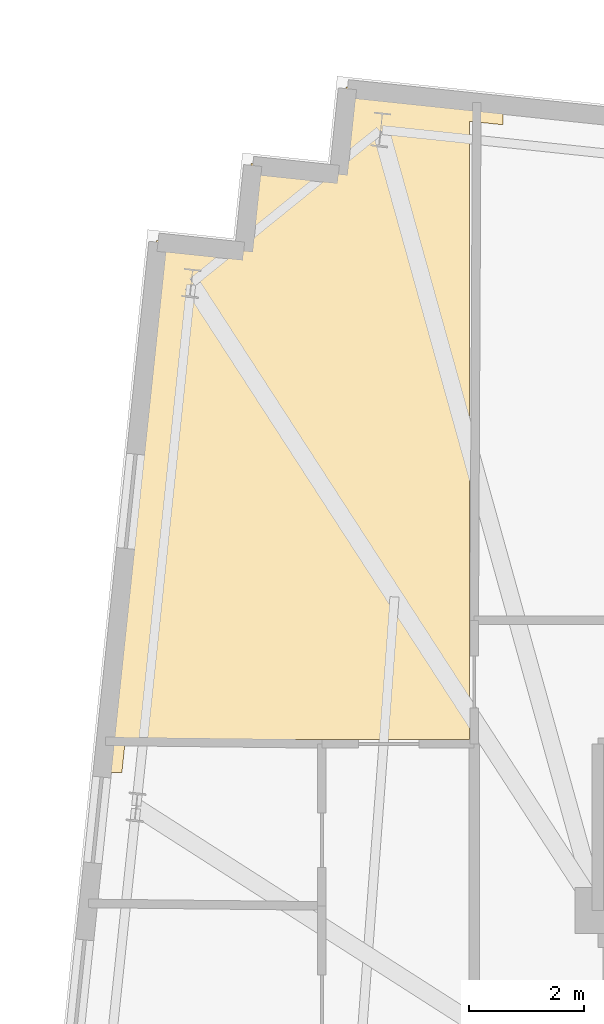
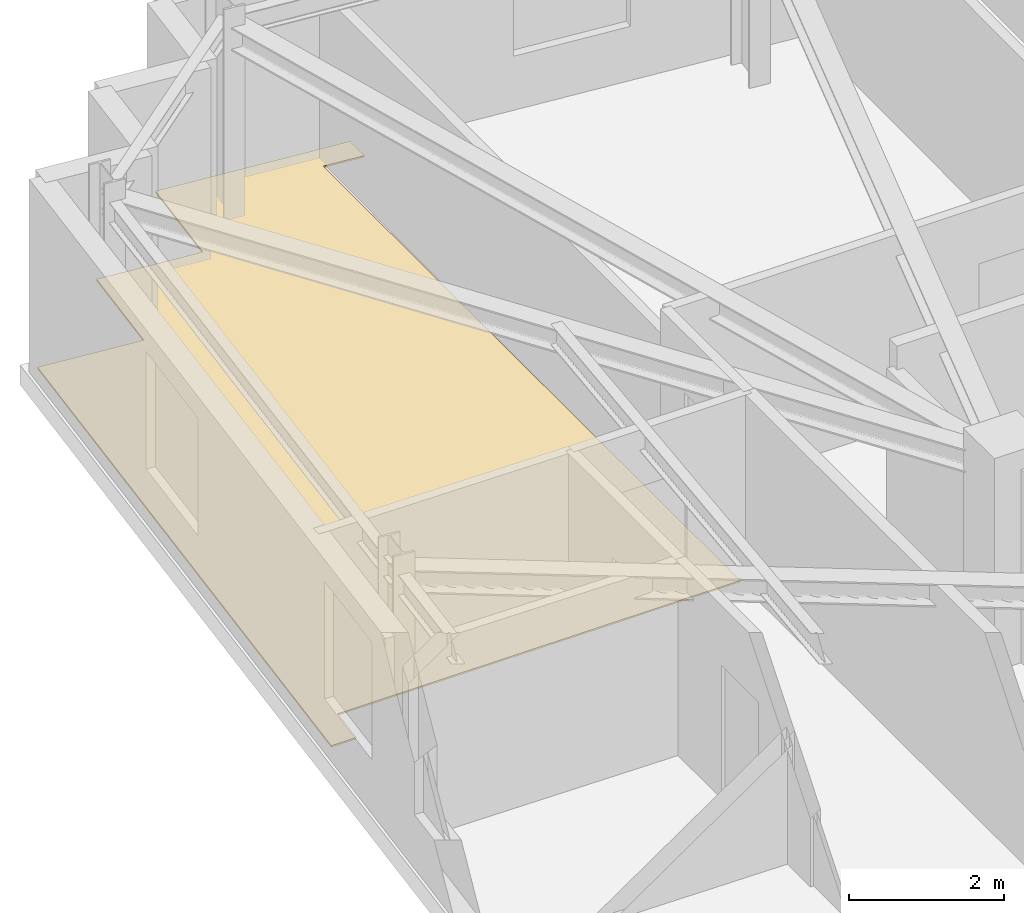
# One storey, part 13 of 13: 1 covering.
"""IFC4 building model written with IfcOpenShell, lengths in metres."""

from ifc_helpers import new_model, si_unit, direction, frame, origin, place, context, subcontext, project, spatial, polyline, outline, extrude, material, layer, layer_set, type_object, element, save


model = new_model("IFC4")

# Units and contexts
model_context = context("Model", 3, precision=1e-05, world=origin(), true_north=direction((0.0, 1.0)))
body_context = subcontext(model_context, "Body", "Model", "MODEL_VIEW")
ifc_project = project(units=[si_unit("LENGTHUNIT", "METRE"), si_unit("AREAUNIT", "SQUARE_METRE"), si_unit("VOLUMEUNIT", "CUBIC_METRE"), si_unit("PLANEANGLEUNIT", "RADIAN"), si_unit("MASSUNIT", "GRAM", prefix="KILO")], contexts=[model_context])

# Site, building, storey
site_placement = place(None, origin())
site = spatial("IfcSite", under=ifc_project, at=site_placement, CompositionType="ELEMENT")
building_placement = place(site_placement, origin())
building = spatial("IfcBuilding", under=site, at=building_placement, Name="Qobustan Lattice House", CompositionType="ELEMENT")
storey_placement = place(building_placement, frame((0.0, 0.0, 186.35009765625)))
storey = spatial("IfcBuildingStorey", under=building, at=storey_placement, Name="L52", CompositionType="ELEMENT", Elevation=186.35009765625)

# Covering
ifc_material = material(Name="Honed Absheron stone terrazzo flooring", Category="masonry")
ifc_layer = layer(ifc_material, 0.02490234375)
ifc_layer_set = layer_set([ifc_layer], Name="Honed Absheron stone terrazzo flooring")
covering_type = type_object("IfcCoveringType", Name="COV-TERRAZZO-FLR", PredefinedType="FLOORING", material=ifc_layer_set)
covering_placement = place(storey_placement, origin())
element("IfcCovering", 1, at=covering_placement, inside=storey, type_object=covering_type, Name="L52 Reading study room L52WN stone terrazzo flooring", PredefinedType="FLOORING", context=body_context, shape_type="SweptSolid", body=[
    extrude(outline(polyline([(-26.4794921875, 17.261474609375), (-27.452880859375, 8.0), (-27.0810546875, 8.0), (-27.02001953125, 8.580078125), (-21.030029296875, 8.580078125), (-21.030029296875, 19.3330078125), (-20.449951171875, 19.272216796875), (-20.449951171875, 19.644287109375), (-23.1826171875, 19.931396484375), (-23.339111328125, 18.439697265625), (-24.8310546875, 18.596435546875), (-24.98779296875, 17.1044921875), (-26.4794921875, 17.261474609375)])), origin(), (0.0, 0.0, 1.0), 0.02490234375),
])

save(model, "model.ifc")
